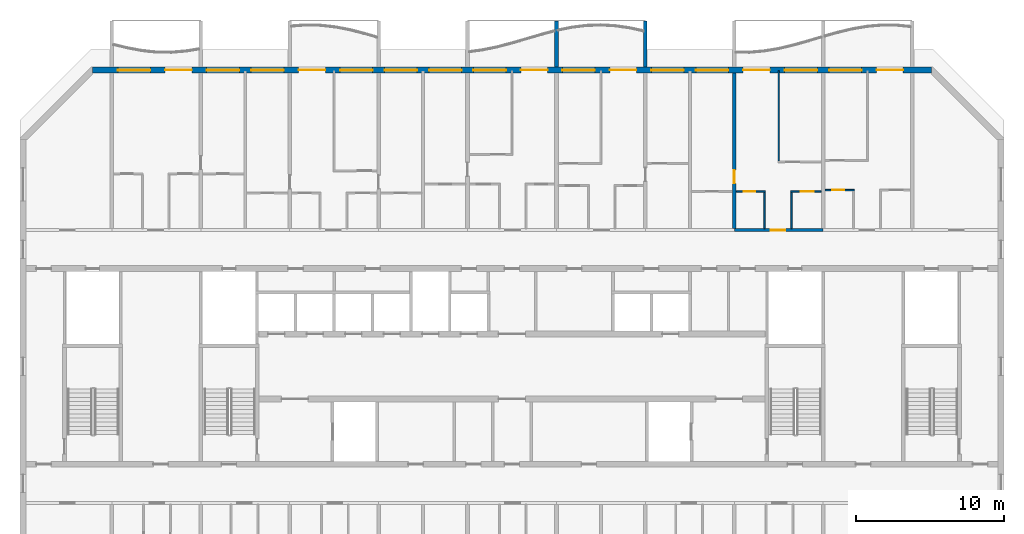
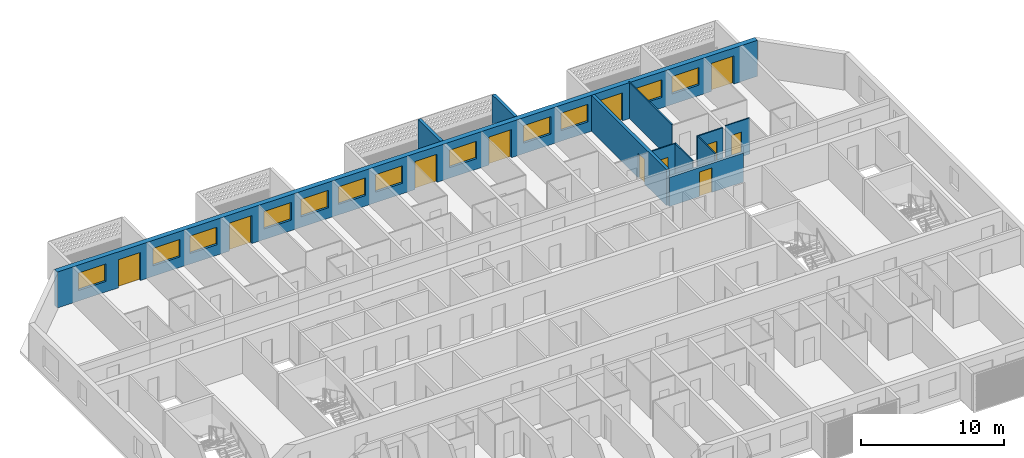
# One storey, part 10 of 26: 12 windows, 11 doors, 11 walls, 23 openings.
"""IFC4 building model written with IfcOpenShell, lengths in metres."""

from ifc_helpers import new_model, si_unit, direction, frame, frame_2d, origin, place, context, subcontext, project, spatial, polyline, rectangle, outline, extrude, source, transform, mapped, material, layer, layer_set, type_object, element, fill, save


model = new_model("IFC4")

# Units and contexts
model_context = context("Model", 3, precision=1e-05, world=origin(), true_north=direction((0.0, 1.0)))
body_context = subcontext(model_context, "Body", "Model", "MODEL_VIEW")
ifc_project = project(units=[si_unit("LENGTHUNIT", "METRE"), si_unit("AREAUNIT", "SQUARE_METRE"), si_unit("VOLUMEUNIT", "CUBIC_METRE"), si_unit("PLANEANGLEUNIT", "RADIAN"), si_unit("MASSUNIT", "GRAM", prefix="KILO")], contexts=[model_context])

# Site, building, storey
site_placement = place(None, origin())
site = spatial("IfcSite", under=ifc_project, at=site_placement, CompositionType="ELEMENT")
building_placement = place(site_placement, origin())
building = spatial("IfcBuilding", under=site, at=building_placement, Name="Poui Terraces", CompositionType="ELEMENT")
storey_placement = place(building_placement, frame((0.0, 0.0, 171.89990234375)))
storey = spatial("IfcBuildingStorey", under=building, at=storey_placement, Name="L47", CompositionType="ELEMENT", Elevation=171.89990234375)

# Wall, opening, door
ifc_material_1 = material(Name="Concrete 50 MPa", Category="concrete")
ifc_layer_1 = layer(ifc_material_1, 0.199951171875)
ifc_layer_set_1 = layer_set([ifc_layer_1], Name="Concrete 50 MPa")
wall_type_1 = type_object("IfcWallType", Name="CORRIDOR WALL 200 50MPa", PredefinedType="SHEAR", material=ifc_layer_set_1)
wall_1_placement = place(storey_placement, frame((66.0, 30.39990234375, 0.0), z_axis=(0.0, 0.0, 1.0), x_axis=(1.0, 0.0, 0.0)))
wall_1 = element("IfcWall", 1, at=wall_1_placement, inside=storey, type_object=wall_type_1, Name="CORRIDOR WALL LINE E BAY 9", PredefinedType="SHEAR", context=body_context, shape_type="SweptSolid", body=[
    extrude(rectangle(XDim=6.0, YDim=0.199951171875, at=frame_2d((3.0, 0.0))), origin(), (0.0, 0.0, 1.0), 2.47998046875),
])
opening_1_placement = place(wall_1_placement, frame((2.449951171875, 0.0, 0.0)))
opening_1 = element("IfcOpeningElement", 2, at=opening_1_placement, cuts=wall_1, Name="Opening FD30S", PredefinedType="OPENING", context=body_context, shape_type="SweptSolid", body=[
    extrude(rectangle(XDim=1.0, YDim=2.10009765625, at=frame_2d((0.5, 1.050048828125))), frame((0.0, 0.10986328125, 0.0), z_axis=(0.0, -1.0, 0.0), x_axis=(1.0, 0.0, 0.0)), (0.0, 0.0, 1.0), 0.219970703125),
])
ifc_material_2 = material(Name="Steel fire door", Category="steel")
door_type_1 = type_object("IfcDoorType", Name="FLAT ENTRANCE DOOR 1000 X 2100", OperationType="NOTDEFINED", PredefinedType="DOOR", material=ifc_material_2)
door_1_placement = place(opening_1_placement, origin())
door_1 = element("IfcDoor", 3, at=door_1_placement, inside=storey, type_object=door_type_1, Name="FLAT ENTRANCE DOOR 054", OperationType="SINGLE_SWING_LEFT", OverallHeight=2.10009765625, OverallWidth=1.0, PredefinedType="DOOR", context=body_context, shape_type="SweptSolid", body=[
    extrude(rectangle(XDim=1.0, YDim=2.10009765625, at=frame_2d((0.5, 1.050048828125))), frame((0.0, 0.02490234375, 0.0), z_axis=(0.0, -1.0, 0.0), x_axis=(1.0, 0.0, 0.0)), (0.0, 0.0, 1.0), 0.050048828125),
])
fill(opening_1, door_1)

ifc_layer_2 = layer(ifc_material_1, 0.25)
ifc_layer_set_2 = layer_set([ifc_layer_2], Name="Concrete 50 MPa")
wall_type_2 = type_object("IfcWallType", Name="CROSS WALL 250 50MPa", PredefinedType="SHEAR", material=ifc_layer_set_2)
wall_2_placement = place(storey_placement, frame((66.0, 30.5, 0.0), z_axis=(0.0, 0.0, 1.0), x_axis=(0.0, 1.0, 0.0)))
wall_2 = element("IfcWall", 4, at=wall_2_placement, inside=storey, type_object=wall_type_2, Name="CROSS WALL LINE 12 NORTH", PredefinedType="SHEAR", context=body_context, shape_type="SweptSolid", body=[
    extrude(rectangle(XDim=10.5, YDim=0.25, at=frame_2d((5.25, 0.0))), origin(), (0.0, 0.0, 1.0), 3.080078125),
])
opening_2_placement = place(wall_2_placement, frame((3.050048828125, 0.0, 0.0)))
opening_2 = element("IfcOpeningElement", 5, at=opening_2_placement, cuts=wall_2, Name="Opening D90", PredefinedType="OPENING", context=body_context, shape_type="SweptSolid", body=[
    extrude(rectangle(XDim=0.89990234375, YDim=2.10009765625, at=frame_2d((0.449951171875, 1.050048828125))), frame((0.0, 0.135009765625, 0.0), z_axis=(0.0, -1.0, 0.0), x_axis=(1.0, 0.0, 0.0)), (0.0, 0.0, 1.0), 0.27001953125),
])
ifc_material_3 = material(Name="Solid core timber door", Category="wood")
door_type_2 = type_object("IfcDoorType", Name="INTERNAL DOOR 900 X 2100", OperationType="NOTDEFINED", PredefinedType="DOOR", material=ifc_material_3)
door_2_placement = place(opening_2_placement, origin())
door_2 = element("IfcDoor", 6, at=door_2_placement, inside=storey, type_object=door_type_2, Name="INTERNAL DOOR 052", OperationType="SINGLE_SWING_LEFT", OverallHeight=2.10009765625, OverallWidth=0.89990234375, PredefinedType="DOOR", context=body_context, shape_type="SweptSolid", body=[
    extrude(rectangle(XDim=0.89990234375, YDim=2.10009765625, at=frame_2d((0.449951171875, 1.050048828125))), frame((0.0, 0.02490234375, 0.0), z_axis=(0.0, -1.0, 0.0), x_axis=(1.0, 0.0, 0.0)), (0.0, 0.0, 1.0), 0.050048828125),
])
fill(opening_2, door_2)

# Wall, openings, doors, windows
ifc_material_4 = material(Name="Precast concrete 40 MPa", Category="concrete")
ifc_layer_3 = layer(ifc_material_4, 0.39990234375)
ifc_layer_set_3 = layer_set([ifc_layer_3], Name="Precast concrete 40 MPa")
wall_type_3 = type_object("IfcWallType", Name="EXTERNAL WALL 400", PredefinedType="STANDARD", material=ifc_layer_set_3)
wall_3_placement = place(storey_placement, frame((79.317138671875, 41.199951171875, 0.0), z_axis=(0.0, 0.0, 1.0), x_axis=(-1.0, 0.0, 0.0)))
wall_3 = element("IfcWall", 7, at=wall_3_placement, inside=storey, type_object=wall_type_3, Name="EXTERNAL WALL N", PredefinedType="STANDARD", context=body_context, shape_type="SweptSolid", body=[
    extrude(rectangle(XDim=56.63427734375, YDim=0.39990234375, at=frame_2d((28.317138671875, 0.0))), origin(), (0.0, 0.0, 1.0), 3.080078125),
])
opening_3_placement = place(wall_3_placement, frame((52.71728515625, 0.0, 0.89990234375)))
opening_3 = element("IfcOpeningElement", 8, at=opening_3_placement, cuts=wall_3, Name="Opening W1", PredefinedType="OPENING", context=body_context, shape_type="SweptSolid", body=[
    extrude(rectangle(XDim=2.199951171875, YDim=1.5, at=frame_2d((1.10009765625, 0.75))), frame((0.0, 0.2099609375, 0.0), z_axis=(0.0, -1.0, 0.0), x_axis=(1.0, 0.0, 0.0)), (0.0, 0.0, 1.0), 0.419921875),
])
opening_4_placement = place(wall_3_placement, frame((49.917236328125, 0.0, 0.0)))
opening_4 = element("IfcOpeningElement", 9, at=opening_4_placement, cuts=wall_3, Name="Opening BD1", PredefinedType="OPENING", context=body_context, shape_type="SweptSolid", body=[
    extrude(rectangle(XDim=1.800048828125, YDim=2.39990234375, at=frame_2d((0.89990234375, 1.199951171875))), frame((0.0, 0.2099609375, 0.0), z_axis=(0.0, -1.0, 0.0), x_axis=(1.0, 0.0, 0.0)), (0.0, 0.0, 1.0), 0.419921875),
])
opening_5_placement = place(wall_3_placement, frame((46.71728515625, 0.0, 0.89990234375)))
opening_5 = element("IfcOpeningElement", 10, at=opening_5_placement, cuts=wall_3, Name="Opening W1", PredefinedType="OPENING", context=body_context, shape_type="SweptSolid", body=[
    extrude(rectangle(XDim=2.199951171875, YDim=1.5, at=frame_2d((1.10009765625, 0.75))), frame((0.0, 0.2099609375, 0.0), z_axis=(0.0, -1.0, 0.0), x_axis=(1.0, 0.0, 0.0)), (0.0, 0.0, 1.0), 0.419921875),
])
opening_6_placement = place(wall_3_placement, frame((43.71728515625, 0.0, 0.89990234375)))
opening_6 = element("IfcOpeningElement", 11, at=opening_6_placement, cuts=wall_3, Name="Opening W1", PredefinedType="OPENING", context=body_context, shape_type="SweptSolid", body=[
    extrude(rectangle(XDim=2.199951171875, YDim=1.5, at=frame_2d((1.10009765625, 0.75))), frame((0.0, 0.2099609375, 0.0), z_axis=(0.0, -1.0, 0.0), x_axis=(1.0, 0.0, 0.0)), (0.0, 0.0, 1.0), 0.419921875),
])
opening_7_placement = place(wall_3_placement, frame((40.917236328125, 0.0, 0.0)))
opening_7 = element("IfcOpeningElement", 12, at=opening_7_placement, cuts=wall_3, Name="Opening BD1", PredefinedType="OPENING", context=body_context, shape_type="SweptSolid", body=[
    extrude(rectangle(XDim=1.800048828125, YDim=2.39990234375, at=frame_2d((0.89990234375, 1.199951171875))), frame((0.0, 0.2099609375, 0.0), z_axis=(0.0, -1.0, 0.0), x_axis=(1.0, 0.0, 0.0)), (0.0, 0.0, 1.0), 0.419921875),
])
opening_8_placement = place(wall_3_placement, frame((37.71728515625, 0.0, 0.89990234375)))
opening_8 = element("IfcOpeningElement", 13, at=opening_8_placement, cuts=wall_3, Name="Opening W1", PredefinedType="OPENING", context=body_context, shape_type="SweptSolid", body=[
    extrude(rectangle(XDim=2.199951171875, YDim=1.5, at=frame_2d((1.10009765625, 0.75))), frame((0.0, 0.2099609375, 0.0), z_axis=(0.0, -1.0, 0.0), x_axis=(1.0, 0.0, 0.0)), (0.0, 0.0, 1.0), 0.419921875),
])
opening_9_placement = place(wall_3_placement, frame((34.71728515625, 0.0, 0.89990234375)))
opening_9 = element("IfcOpeningElement", 14, at=opening_9_placement, cuts=wall_3, Name="Opening W1", PredefinedType="OPENING", context=body_context, shape_type="SweptSolid", body=[
    extrude(rectangle(XDim=2.199951171875, YDim=1.5, at=frame_2d((1.10009765625, 0.75))), frame((0.0, 0.2099609375, 0.0), z_axis=(0.0, -1.0, 0.0), x_axis=(1.0, 0.0, 0.0)), (0.0, 0.0, 1.0), 0.419921875),
])
opening_10_placement = place(wall_3_placement, frame((31.71728515625, 0.0, 0.89990234375)))
opening_10 = element("IfcOpeningElement", 15, at=opening_10_placement, cuts=wall_3, Name="Opening W1", PredefinedType="OPENING", context=body_context, shape_type="SweptSolid", body=[
    extrude(rectangle(XDim=2.199951171875, YDim=1.5, at=frame_2d((1.10009765625, 0.75))), frame((0.0, 0.2099609375, 0.0), z_axis=(0.0, -1.0, 0.0), x_axis=(1.0, 0.0, 0.0)), (0.0, 0.0, 1.0), 0.419921875),
])
opening_11_placement = place(wall_3_placement, frame((28.71728515625, 0.0, 0.89990234375)))
opening_11 = element("IfcOpeningElement", 16, at=opening_11_placement, cuts=wall_3, Name="Opening W1", PredefinedType="OPENING", context=body_context, shape_type="SweptSolid", body=[
    extrude(rectangle(XDim=2.199951171875, YDim=1.5, at=frame_2d((1.10009765625, 0.75))), frame((0.0, 0.2099609375, 0.0), z_axis=(0.0, -1.0, 0.0), x_axis=(1.0, 0.0, 0.0)), (0.0, 0.0, 1.0), 0.419921875),
])
opening_12_placement = place(wall_3_placement, frame((25.917236328125, 0.0, 0.0)))
opening_12 = element("IfcOpeningElement", 17, at=opening_12_placement, cuts=wall_3, Name="Opening BD1", PredefinedType="OPENING", context=body_context, shape_type="SweptSolid", body=[
    extrude(rectangle(XDim=1.800048828125, YDim=2.39990234375, at=frame_2d((0.89990234375, 1.199951171875))), frame((0.0, 0.2099609375, 0.0), z_axis=(0.0, -1.0, 0.0), x_axis=(1.0, 0.0, 0.0)), (0.0, 0.0, 1.0), 0.419921875),
])
opening_13_placement = place(wall_3_placement, frame((22.71728515625, 0.0, 0.89990234375)))
opening_13 = element("IfcOpeningElement", 18, at=opening_13_placement, cuts=wall_3, Name="Opening W1", PredefinedType="OPENING", context=body_context, shape_type="SweptSolid", body=[
    extrude(rectangle(XDim=2.199951171875, YDim=1.5, at=frame_2d((1.10009765625, 0.75))), frame((0.0, 0.2099609375, 0.0), z_axis=(0.0, -1.0, 0.0), x_axis=(1.0, 0.0, 0.0)), (0.0, 0.0, 1.0), 0.419921875),
])
opening_14_placement = place(wall_3_placement, frame((19.917236328125, 0.0, 0.0)))
opening_14 = element("IfcOpeningElement", 19, at=opening_14_placement, cuts=wall_3, Name="Opening BD1", PredefinedType="OPENING", context=body_context, shape_type="SweptSolid", body=[
    extrude(rectangle(XDim=1.800048828125, YDim=2.39990234375, at=frame_2d((0.89990234375, 1.199951171875))), frame((0.0, 0.2099609375, 0.0), z_axis=(0.0, -1.0, 0.0), x_axis=(1.0, 0.0, 0.0)), (0.0, 0.0, 1.0), 0.419921875),
])
opening_15_placement = place(wall_3_placement, frame((16.71728515625, 0.0, 0.89990234375)))
opening_15 = element("IfcOpeningElement", 20, at=opening_15_placement, cuts=wall_3, Name="Opening W1", PredefinedType="OPENING", context=body_context, shape_type="SweptSolid", body=[
    extrude(rectangle(XDim=2.199951171875, YDim=1.5, at=frame_2d((1.10009765625, 0.75))), frame((0.0, 0.2099609375, 0.0), z_axis=(0.0, -1.0, 0.0), x_axis=(1.0, 0.0, 0.0)), (0.0, 0.0, 1.0), 0.419921875),
])
opening_16_placement = place(wall_3_placement, frame((13.71728515625, 0.0, 0.89990234375)))
opening_16 = element("IfcOpeningElement", 21, at=opening_16_placement, cuts=wall_3, Name="Opening W1", PredefinedType="OPENING", context=body_context, shape_type="SweptSolid", body=[
    extrude(rectangle(XDim=2.199951171875, YDim=1.5, at=frame_2d((1.10009765625, 0.75))), frame((0.0, 0.2099609375, 0.0), z_axis=(0.0, -1.0, 0.0), x_axis=(1.0, 0.0, 0.0)), (0.0, 0.0, 1.0), 0.419921875),
])
opening_17_placement = place(wall_3_placement, frame((10.917236328125, 0.0, 0.0)))
opening_17 = element("IfcOpeningElement", 22, at=opening_17_placement, cuts=wall_3, Name="Opening BD1", PredefinedType="OPENING", context=body_context, shape_type="SweptSolid", body=[
    extrude(rectangle(XDim=1.800048828125, YDim=2.39990234375, at=frame_2d((0.89990234375, 1.199951171875))), frame((0.0, 0.2099609375, 0.0), z_axis=(0.0, -1.0, 0.0), x_axis=(1.0, 0.0, 0.0)), (0.0, 0.0, 1.0), 0.419921875),
])
opening_18_placement = place(wall_3_placement, frame((7.71728515625, 0.0, 0.89990234375)))
opening_18 = element("IfcOpeningElement", 23, at=opening_18_placement, cuts=wall_3, Name="Opening W1", PredefinedType="OPENING", context=body_context, shape_type="SweptSolid", body=[
    extrude(rectangle(XDim=2.199951171875, YDim=1.5, at=frame_2d((1.10009765625, 0.75))), frame((0.0, 0.2099609375, 0.0), z_axis=(0.0, -1.0, 0.0), x_axis=(1.0, 0.0, 0.0)), (0.0, 0.0, 1.0), 0.419921875),
])
opening_19_placement = place(wall_3_placement, frame((4.71728515625, 0.0, 0.89990234375)))
opening_19 = element("IfcOpeningElement", 24, at=opening_19_placement, cuts=wall_3, Name="Opening W1", PredefinedType="OPENING", context=body_context, shape_type="SweptSolid", body=[
    extrude(rectangle(XDim=2.199951171875, YDim=1.5, at=frame_2d((1.10009765625, 0.75))), frame((0.0, 0.2099609375, 0.0), z_axis=(0.0, -1.0, 0.0), x_axis=(1.0, 0.0, 0.0)), (0.0, 0.0, 1.0), 0.419921875),
])
opening_20_placement = place(wall_3_placement, frame((1.917236328125, 0.0, 0.0)))
opening_20 = element("IfcOpeningElement", 25, at=opening_20_placement, cuts=wall_3, Name="Opening BD1", PredefinedType="OPENING", context=body_context, shape_type="SweptSolid", body=[
    extrude(rectangle(XDim=1.800048828125, YDim=2.39990234375, at=frame_2d((0.89990234375, 1.199951171875))), frame((0.0, 0.2099609375, 0.0), z_axis=(0.0, -1.0, 0.0), x_axis=(1.0, 0.0, 0.0)), (0.0, 0.0, 1.0), 0.419921875),
])
ifc_material_5 = material(Name="Clear glass in aluminium frame", Category="aluminium")
door_type_3 = type_object("IfcDoorType", Name="BALCONY DOOR 1800X2400", OperationType="DOUBLE_DOOR_SLIDING", PredefinedType="DOOR", material=ifc_material_5)
door_3_placement = place(opening_4_placement, origin())
door_3 = element("IfcDoor", 26, at=door_3_placement, inside=storey, type_object=door_type_3, Name="BD1 BALCONY DOOR", OperationType="DOUBLE_DOOR_SLIDING", OverallHeight=2.39990234375, OverallWidth=1.800048828125, PredefinedType="DOOR", context=body_context, shape_type="SweptSolid", body=[
    extrude(rectangle(XDim=1.800048828125, YDim=2.39990234375, at=frame_2d((0.89990234375, 1.199951171875))), frame((0.0, 0.02490234375, 0.0), z_axis=(0.0, -1.0, 0.0), x_axis=(1.0, 0.0, 0.0)), (0.0, 0.0, 1.0), 0.050048828125),
])
fill(opening_4, door_3)
door_4_placement = place(opening_7_placement, origin())
door_4 = element("IfcDoor", 27, at=door_4_placement, inside=storey, type_object=door_type_3, Name="BD1 BALCONY DOOR", OperationType="DOUBLE_DOOR_SLIDING", OverallHeight=2.39990234375, OverallWidth=1.800048828125, PredefinedType="DOOR", context=body_context, shape_type="SweptSolid", body=[
    extrude(rectangle(XDim=1.800048828125, YDim=2.39990234375, at=frame_2d((0.89990234375, 1.199951171875))), frame((0.0, 0.02490234375, 0.0), z_axis=(0.0, -1.0, 0.0), x_axis=(1.0, 0.0, 0.0)), (0.0, 0.0, 1.0), 0.050048828125),
])
fill(opening_7, door_4)
door_5_placement = place(opening_12_placement, origin())
door_5 = element("IfcDoor", 28, at=door_5_placement, inside=storey, type_object=door_type_3, Name="BD1 BALCONY DOOR", OperationType="DOUBLE_DOOR_SLIDING", OverallHeight=2.39990234375, OverallWidth=1.800048828125, PredefinedType="DOOR", context=body_context, shape_type="SweptSolid", body=[
    extrude(rectangle(XDim=1.800048828125, YDim=2.39990234375, at=frame_2d((0.89990234375, 1.199951171875))), frame((0.0, 0.02490234375, 0.0), z_axis=(0.0, -1.0, 0.0), x_axis=(1.0, 0.0, 0.0)), (0.0, 0.0, 1.0), 0.050048828125),
])
fill(opening_12, door_5)
door_6_placement = place(opening_14_placement, origin())
door_6 = element("IfcDoor", 29, at=door_6_placement, inside=storey, type_object=door_type_3, Name="BD1 BALCONY DOOR", OperationType="DOUBLE_DOOR_SLIDING", OverallHeight=2.39990234375, OverallWidth=1.800048828125, PredefinedType="DOOR", context=body_context, shape_type="SweptSolid", body=[
    extrude(rectangle(XDim=1.800048828125, YDim=2.39990234375, at=frame_2d((0.89990234375, 1.199951171875))), frame((0.0, 0.02490234375, 0.0), z_axis=(0.0, -1.0, 0.0), x_axis=(1.0, 0.0, 0.0)), (0.0, 0.0, 1.0), 0.050048828125),
])
fill(opening_14, door_6)
door_7_placement = place(opening_17_placement, origin())
door_7 = element("IfcDoor", 30, at=door_7_placement, inside=storey, type_object=door_type_3, Name="BD1 BALCONY DOOR", OperationType="DOUBLE_DOOR_SLIDING", OverallHeight=2.39990234375, OverallWidth=1.800048828125, PredefinedType="DOOR", context=body_context, shape_type="SweptSolid", body=[
    extrude(rectangle(XDim=1.800048828125, YDim=2.39990234375, at=frame_2d((0.89990234375, 1.199951171875))), frame((0.0, 0.02490234375, 0.0), z_axis=(0.0, -1.0, 0.0), x_axis=(1.0, 0.0, 0.0)), (0.0, 0.0, 1.0), 0.050048828125),
])
fill(opening_17, door_7)
door_8_placement = place(opening_20_placement, origin())
door_8 = element("IfcDoor", 31, at=door_8_placement, inside=storey, type_object=door_type_3, Name="BD1 BALCONY DOOR", OperationType="DOUBLE_DOOR_SLIDING", OverallHeight=2.39990234375, OverallWidth=1.800048828125, PredefinedType="DOOR", context=body_context, shape_type="SweptSolid", body=[
    extrude(rectangle(XDim=1.800048828125, YDim=2.39990234375, at=frame_2d((0.89990234375, 1.199951171875))), frame((0.0, 0.02490234375, 0.0), z_axis=(0.0, -1.0, 0.0), x_axis=(1.0, 0.0, 0.0)), (0.0, 0.0, 1.0), 0.050048828125),
])
fill(opening_20, door_8)
window_type = type_object("IfcWindowType", Name="WINDOW 2200X1500", PartitioningType="DOUBLE_PANEL_HORIZONTAL", PredefinedType="WINDOW", material=ifc_material_5)
window_1_placement = place(opening_3_placement, origin())
window_1 = element("IfcWindow", 32, at=window_1_placement, inside=storey, type_object=window_type, Name="W1 WINDOW", OverallHeight=1.5, OverallWidth=2.199951171875, PartitioningType="DOUBLE_PANEL_HORIZONTAL", PredefinedType="WINDOW", context=body_context, shape_type="SweptSolid", body=[
    extrude(rectangle(XDim=2.199951171875, YDim=1.5, at=frame_2d((1.10009765625, 0.75))), frame((0.0, 0.030029296875, 0.0), z_axis=(0.0, -1.0, 0.0), x_axis=(1.0, 0.0, 0.0)), (0.0, 0.0, 1.0), 0.06005859375),
])
fill(opening_3, window_1)
window_2_placement = place(opening_5_placement, origin())
window_2 = element("IfcWindow", 33, at=window_2_placement, inside=storey, type_object=window_type, Name="W1 WINDOW", OverallHeight=1.5, OverallWidth=2.199951171875, PartitioningType="DOUBLE_PANEL_HORIZONTAL", PredefinedType="WINDOW", context=body_context, shape_type="SweptSolid", body=[
    extrude(rectangle(XDim=2.199951171875, YDim=1.5, at=frame_2d((1.10009765625, 0.75))), frame((0.0, 0.030029296875, 0.0), z_axis=(0.0, -1.0, 0.0), x_axis=(1.0, 0.0, 0.0)), (0.0, 0.0, 1.0), 0.06005859375),
])
fill(opening_5, window_2)
window_3_placement = place(opening_6_placement, origin())
window_3 = element("IfcWindow", 34, at=window_3_placement, inside=storey, type_object=window_type, Name="W1 WINDOW", OverallHeight=1.5, OverallWidth=2.199951171875, PartitioningType="DOUBLE_PANEL_HORIZONTAL", PredefinedType="WINDOW", context=body_context, shape_type="SweptSolid", body=[
    extrude(rectangle(XDim=2.199951171875, YDim=1.5, at=frame_2d((1.10009765625, 0.75))), frame((0.0, 0.030029296875, 0.0), z_axis=(0.0, -1.0, 0.0), x_axis=(1.0, 0.0, 0.0)), (0.0, 0.0, 1.0), 0.06005859375),
])
fill(opening_6, window_3)
window_4_placement = place(opening_8_placement, origin())
window_4 = element("IfcWindow", 35, at=window_4_placement, inside=storey, type_object=window_type, Name="W1 WINDOW", OverallHeight=1.5, OverallWidth=2.199951171875, PartitioningType="DOUBLE_PANEL_HORIZONTAL", PredefinedType="WINDOW", context=body_context, shape_type="SweptSolid", body=[
    extrude(rectangle(XDim=2.199951171875, YDim=1.5, at=frame_2d((1.10009765625, 0.75))), frame((0.0, 0.030029296875, 0.0), z_axis=(0.0, -1.0, 0.0), x_axis=(1.0, 0.0, 0.0)), (0.0, 0.0, 1.0), 0.06005859375),
])
fill(opening_8, window_4)
window_5_placement = place(opening_9_placement, origin())
window_5 = element("IfcWindow", 36, at=window_5_placement, inside=storey, type_object=window_type, Name="W1 WINDOW", OverallHeight=1.5, OverallWidth=2.199951171875, PartitioningType="DOUBLE_PANEL_HORIZONTAL", PredefinedType="WINDOW", context=body_context, shape_type="SweptSolid", body=[
    extrude(rectangle(XDim=2.199951171875, YDim=1.5, at=frame_2d((1.10009765625, 0.75))), frame((0.0, 0.030029296875, 0.0), z_axis=(0.0, -1.0, 0.0), x_axis=(1.0, 0.0, 0.0)), (0.0, 0.0, 1.0), 0.06005859375),
])
fill(opening_9, window_5)
window_6_placement = place(opening_10_placement, origin())
window_6 = element("IfcWindow", 37, at=window_6_placement, inside=storey, type_object=window_type, Name="W1 WINDOW", OverallHeight=1.5, OverallWidth=2.199951171875, PartitioningType="DOUBLE_PANEL_HORIZONTAL", PredefinedType="WINDOW", context=body_context, shape_type="SweptSolid", body=[
    extrude(rectangle(XDim=2.199951171875, YDim=1.5, at=frame_2d((1.10009765625, 0.75))), frame((0.0, 0.030029296875, 0.0), z_axis=(0.0, -1.0, 0.0), x_axis=(1.0, 0.0, 0.0)), (0.0, 0.0, 1.0), 0.06005859375),
])
fill(opening_10, window_6)
window_7_placement = place(opening_11_placement, origin())
window_7 = element("IfcWindow", 38, at=window_7_placement, inside=storey, type_object=window_type, Name="W1 WINDOW", OverallHeight=1.5, OverallWidth=2.199951171875, PartitioningType="DOUBLE_PANEL_HORIZONTAL", PredefinedType="WINDOW", context=body_context, shape_type="SweptSolid", body=[
    extrude(rectangle(XDim=2.199951171875, YDim=1.5, at=frame_2d((1.10009765625, 0.75))), frame((0.0, 0.030029296875, 0.0), z_axis=(0.0, -1.0, 0.0), x_axis=(1.0, 0.0, 0.0)), (0.0, 0.0, 1.0), 0.06005859375),
])
fill(opening_11, window_7)
window_8_placement = place(opening_13_placement, origin())
window_8 = element("IfcWindow", 39, at=window_8_placement, inside=storey, type_object=window_type, Name="W1 WINDOW", OverallHeight=1.5, OverallWidth=2.199951171875, PartitioningType="DOUBLE_PANEL_HORIZONTAL", PredefinedType="WINDOW", context=body_context, shape_type="SweptSolid", body=[
    extrude(rectangle(XDim=2.199951171875, YDim=1.5, at=frame_2d((1.10009765625, 0.75))), frame((0.0, 0.030029296875, 0.0), z_axis=(0.0, -1.0, 0.0), x_axis=(1.0, 0.0, 0.0)), (0.0, 0.0, 1.0), 0.06005859375),
])
fill(opening_13, window_8)
window_9_placement = place(opening_15_placement, origin())
window_9 = element("IfcWindow", 40, at=window_9_placement, inside=storey, type_object=window_type, Name="W1 WINDOW", OverallHeight=1.5, OverallWidth=2.199951171875, PartitioningType="DOUBLE_PANEL_HORIZONTAL", PredefinedType="WINDOW", context=body_context, shape_type="SweptSolid", body=[
    extrude(rectangle(XDim=2.199951171875, YDim=1.5, at=frame_2d((1.10009765625, 0.75))), frame((0.0, 0.030029296875, 0.0), z_axis=(0.0, -1.0, 0.0), x_axis=(1.0, 0.0, 0.0)), (0.0, 0.0, 1.0), 0.06005859375),
])
fill(opening_15, window_9)
window_10_placement = place(opening_16_placement, origin())
window_10 = element("IfcWindow", 41, at=window_10_placement, inside=storey, type_object=window_type, Name="W1 WINDOW", OverallHeight=1.5, OverallWidth=2.199951171875, PartitioningType="DOUBLE_PANEL_HORIZONTAL", PredefinedType="WINDOW", context=body_context, shape_type="SweptSolid", body=[
    extrude(rectangle(XDim=2.199951171875, YDim=1.5, at=frame_2d((1.10009765625, 0.75))), frame((0.0, 0.030029296875, 0.0), z_axis=(0.0, -1.0, 0.0), x_axis=(1.0, 0.0, 0.0)), (0.0, 0.0, 1.0), 0.06005859375),
])
fill(opening_16, window_10)
window_11_placement = place(opening_18_placement, origin())
window_11 = element("IfcWindow", 42, at=window_11_placement, inside=storey, type_object=window_type, Name="W1 WINDOW", OverallHeight=1.5, OverallWidth=2.199951171875, PartitioningType="DOUBLE_PANEL_HORIZONTAL", PredefinedType="WINDOW", context=body_context, shape_type="SweptSolid", body=[
    extrude(rectangle(XDim=2.199951171875, YDim=1.5, at=frame_2d((1.10009765625, 0.75))), frame((0.0, 0.030029296875, 0.0), z_axis=(0.0, -1.0, 0.0), x_axis=(1.0, 0.0, 0.0)), (0.0, 0.0, 1.0), 0.06005859375),
])
fill(opening_18, window_11)
window_12_placement = place(opening_19_placement, origin())
window_12 = element("IfcWindow", 43, at=window_12_placement, inside=storey, type_object=window_type, Name="W1 WINDOW", OverallHeight=1.5, OverallWidth=2.199951171875, PartitioningType="DOUBLE_PANEL_HORIZONTAL", PredefinedType="WINDOW", context=body_context, shape_type="SweptSolid", body=[
    extrude(rectangle(XDim=2.199951171875, YDim=1.5, at=frame_2d((1.10009765625, 0.75))), frame((0.0, 0.030029296875, 0.0), z_axis=(0.0, -1.0, 0.0), x_axis=(1.0, 0.0, 0.0)), (0.0, 0.0, 1.0), 0.06005859375),
])
fill(opening_19, window_12)

# Wall, opening, door
ifc_material_6 = material(Name="Plasterboard partition")
ifc_layer_4 = layer(ifc_material_6, 0.10009765625)
ifc_layer_set_4 = layer_set([ifc_layer_4], Name="Plasterboard partition")
wall_type_4 = type_object("IfcWallType", Name="FLAT PARTITION 100", PredefinedType="PARTITIONING", material=ifc_layer_set_4)
wall_4_placement = place(storey_placement, frame((66.135009765625, 33.0, 0.0), z_axis=(0.0, 0.0, 1.0), x_axis=(1.0, 0.0, 0.0)))
wall_4 = element("IfcWall", 44, at=wall_4_placement, inside=storey, type_object=wall_type_4, Name="FLAT PARTITION 100", PredefinedType="PARTITIONING", context=body_context, shape_type="SweptSolid", body=[
    extrude(rectangle(XDim=1.965087890625, YDim=0.10009765625, at=frame_2d((0.982421875, 0.0))), origin(), (0.0, 0.0, 1.0), 3.080078125),
])
opening_21_placement = place(wall_4_placement, frame((0.489990234375, 0.0, 0.0)))
opening_21 = element("IfcOpeningElement", 45, at=opening_21_placement, cuts=wall_4, Name="Opening D80", PredefinedType="OPENING", context=body_context, shape_type="SweptSolid", body=[
    extrude(rectangle(XDim=0.800048828125, YDim=2.10009765625, at=frame_2d((0.39990234375, 1.050048828125))), frame((0.0, 0.06005859375, 0.0), z_axis=(0.0, -1.0, 0.0), x_axis=(1.0, 0.0, 0.0)), (0.0, 0.0, 1.0), 0.1201171875),
])
door_type_4 = type_object("IfcDoorType", Name="BATHROOM, LAUNDRY AND STORE DOOR 800 X 2100", OperationType="NOTDEFINED", PredefinedType="DOOR", material=ifc_material_3)
door_9_placement = place(opening_21_placement, frame((0.800048828125, 0.0, 0.0), z_axis=(0.0, 0.0, 1.0), x_axis=(-1.0, 0.0, 0.0)))
door_9 = element("IfcDoor", 46, at=door_9_placement, inside=storey, type_object=door_type_4, Name="BATHROOM, LAUNDRY AND STORE DOOR 053", OperationType="SINGLE_SWING_LEFT", OverallHeight=2.10009765625, OverallWidth=0.800048828125, PredefinedType="DOOR", context=body_context, shape_type="SweptSolid", body=[
    extrude(rectangle(XDim=0.800048828125, YDim=2.10009765625, at=frame_2d((0.39990234375, 1.050048828125))), frame((0.0, 0.02490234375, 0.0), z_axis=(0.0, -1.0, 0.0), x_axis=(1.0, 0.0, 0.0)), (0.0, 0.0, 1.0), 0.050048828125),
])
fill(opening_21, door_9)

wall_5_placement = place(storey_placement, frame((69.800048828125, 33.0, 0.0), z_axis=(0.0, 0.0, 1.0), x_axis=(1.0, 0.0, 0.0)))
wall_5 = element("IfcWall", 47, at=wall_5_placement, inside=storey, type_object=wall_type_4, Name="FLAT PARTITION 100", PredefinedType="PARTITIONING", context=body_context, shape_type="SweptSolid", body=[
    extrude(rectangle(XDim=2.06494140625, YDim=0.10009765625, at=frame_2d((1.032470703125, 0.0))), origin(), (0.0, 0.0, 1.0), 3.080078125),
])
opening_22_placement = place(wall_5_placement, frame((0.675048828125, 0.0, 0.0)))
opening_22 = element("IfcOpeningElement", 48, at=opening_22_placement, cuts=wall_5, Name="Opening D90", PredefinedType="OPENING", context=body_context, shape_type="SweptSolid", body=[
    extrude(rectangle(XDim=0.89990234375, YDim=2.10009765625, at=frame_2d((0.449951171875, 1.050048828125))), frame((0.0, 0.06005859375, 0.0), z_axis=(0.0, -1.0, 0.0), x_axis=(1.0, 0.0, 0.0)), (0.0, 0.0, 1.0), 0.1201171875),
])
door_10_placement = place(opening_22_placement, frame((0.89990234375, 0.0, 0.0), z_axis=(0.0, 0.0, 1.0), x_axis=(-1.0, 0.0, 0.0)))
door_10 = element("IfcDoor", 49, at=door_10_placement, inside=storey, type_object=door_type_2, Name="INTERNAL DOOR 056", OperationType="SINGLE_SWING_RIGHT", OverallHeight=2.10009765625, OverallWidth=0.89990234375, PredefinedType="DOOR", context=body_context, shape_type="SweptSolid", body=[
    extrude(rectangle(XDim=0.89990234375, YDim=2.10009765625, at=frame_2d((0.449951171875, 1.050048828125))), frame((0.0, 0.02490234375, 0.0), z_axis=(0.0, -1.0, 0.0), x_axis=(1.0, 0.0, 0.0)), (0.0, 0.0, 1.0), 0.050048828125),
])
fill(opening_22, door_10)

wall_6_placement = place(storey_placement, frame((72.135009765625, 33.10009765625, 0.0), z_axis=(0.0, 0.0, 1.0), x_axis=(1.0, 0.0, 0.0)))
wall_6 = element("IfcWall", 50, at=wall_6_placement, inside=storey, type_object=wall_type_4, Name="FLAT PARTITION 100", PredefinedType="PARTITIONING", context=body_context, shape_type="SweptSolid", body=[
    extrude(rectangle(XDim=1.965087890625, YDim=0.10009765625, at=frame_2d((0.982421875, 0.0))), origin(), (0.0, 0.0, 1.0), 3.080078125),
])
opening_23_placement = place(wall_6_placement, frame((0.489990234375, 0.0, 0.0)))
opening_23 = element("IfcOpeningElement", 51, at=opening_23_placement, cuts=wall_6, Name="Opening D80", PredefinedType="OPENING", context=body_context, shape_type="SweptSolid", body=[
    extrude(rectangle(XDim=0.800048828125, YDim=2.10009765625, at=frame_2d((0.39990234375, 1.050048828125))), frame((0.0, 0.06005859375, 0.0), z_axis=(0.0, -1.0, 0.0), x_axis=(1.0, 0.0, 0.0)), (0.0, 0.0, 1.0), 0.1201171875),
])
door_11_placement = place(opening_23_placement, frame((0.800048828125, 0.0, 0.0), z_axis=(0.0, 0.0, 1.0), x_axis=(-1.0, 0.0, 0.0)))
door_11 = element("IfcDoor", 52, at=door_11_placement, inside=storey, type_object=door_type_4, Name="BATHROOM, LAUNDRY AND STORE DOOR 058", OperationType="SINGLE_SWING_RIGHT", OverallHeight=2.10009765625, OverallWidth=0.800048828125, PredefinedType="DOOR", context=body_context, shape_type="SweptSolid", body=[
    extrude(rectangle(XDim=0.800048828125, YDim=2.10009765625, at=frame_2d((0.39990234375, 1.050048828125))), frame((0.0, 0.02490234375, 0.0), z_axis=(0.0, -1.0, 0.0), x_axis=(1.0, 0.0, 0.0)), (0.0, 0.0, 1.0), 0.050048828125),
])
fill(opening_23, door_11)

# Walls
wall_7_placement = place(storey_placement, frame((68.050048828125, 30.510009765625, 0.0), z_axis=(0.0, 0.0, 1.0), x_axis=(0.0, 1.0, 0.0)))
element("IfcWall", 53, at=wall_7_placement, inside=storey, type_object=wall_type_4, Name="FLAT PARTITION 100", PredefinedType="PARTITIONING", context=body_context, shape_type="SweptSolid", body=[
    extrude(rectangle(XDim=2.43994140625, YDim=0.10009765625, at=frame_2d((1.219970703125, 0.0))), origin(), (0.0, 0.0, 1.0), 3.080078125),
])
wall_8_placement = place(storey_placement, frame((69.0, 35.050048828125, 0.0), z_axis=(0.0, 0.0, 1.0), x_axis=(0.0, 1.0, 0.0)))
element("IfcWall", 54, at=wall_8_placement, inside=storey, type_object=wall_type_4, Name="FLAT PARTITION 100", PredefinedType="PARTITIONING", context=body_context, shape_type="SweptSolid", body=[
    extrude(rectangle(XDim=6.08984375, YDim=0.10009765625, at=frame_2d((3.044921875, 0.0))), origin(), (0.0, 0.0, 1.0), 3.080078125),
])
wall_9_placement = place(storey_placement, frame((69.85009765625, 30.510009765625, 0.0), z_axis=(0.0, 0.0, 1.0), x_axis=(0.0, 1.0, 0.0)))
element("IfcWall", 55, at=wall_9_placement, inside=storey, type_object=wall_type_4, Name="FLAT PARTITION 100", PredefinedType="PARTITIONING", context=body_context, shape_type="SweptSolid", body=[
    extrude(rectangle(XDim=2.43994140625, YDim=0.10009765625, at=frame_2d((1.219970703125, 0.0))), origin(), (0.0, 0.0, 1.0), 3.080078125),
])
ifc_layer_5 = layer(ifc_material_4, 0.25)
ifc_layer_set_5 = layer_set([ifc_layer_5], Name="Precast concrete 40 MPa")
wall_type_5 = type_object("IfcWallType", Name="BALCONY FIN 250", PredefinedType="STANDARD", material=ifc_layer_set_5)
shared_shape = source(origin(), body_context, "Body", "SweptSolid", [
    extrude(outline(polyline([(0.0, 0.0), (0.25, 0.0), (0.25, 3.10009765625), (0.0, 3.10009765625), (0.0, 0.0)])), origin(), (0.0, 0.0, 1.0), 3.10009765625),
])
for number, where, name in (
    (56, (53.875, 41.39990234375, 0.0), "BALCONY FIN"),
    (57, (59.875, 41.39990234375, 0.0), "BALCONY FIN"),
):
    element("IfcWall", number, at=place(storey_placement, frame(where)), inside=storey, type_object=wall_type_5, Name=name, PredefinedType="STANDARD", context=body_context, shape_type="MappedRepresentation", body=[
        mapped(shared_shape, transform((0.0, 0.0, 0.0))),
    ])

save(model, "model.ifc")
